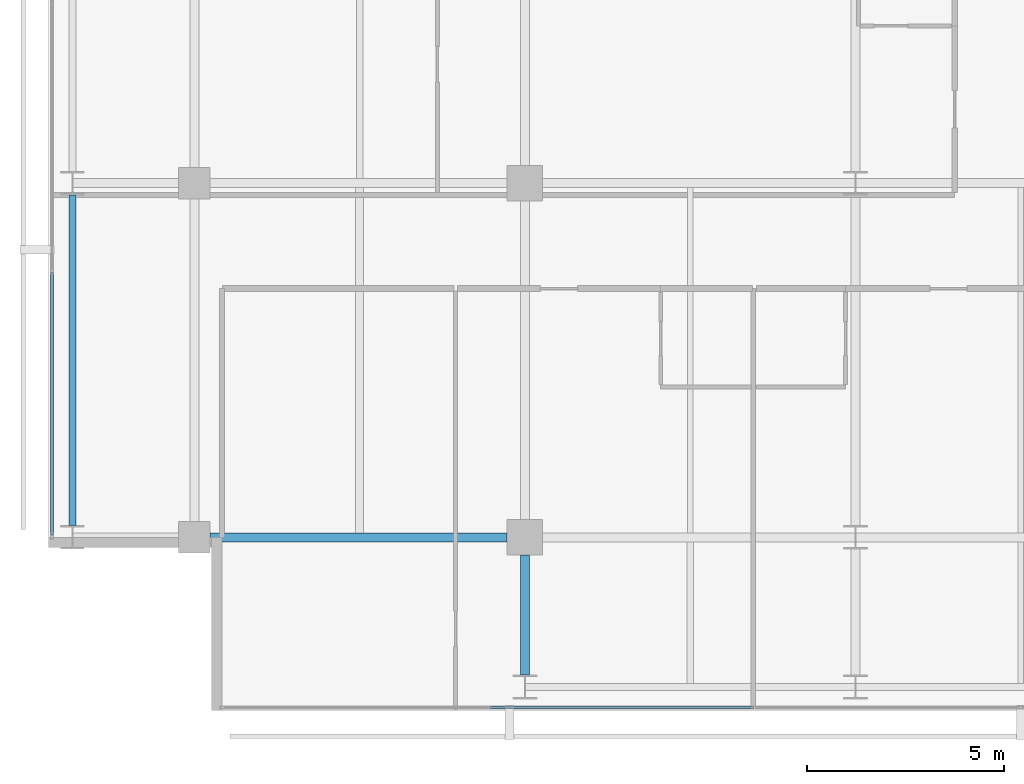
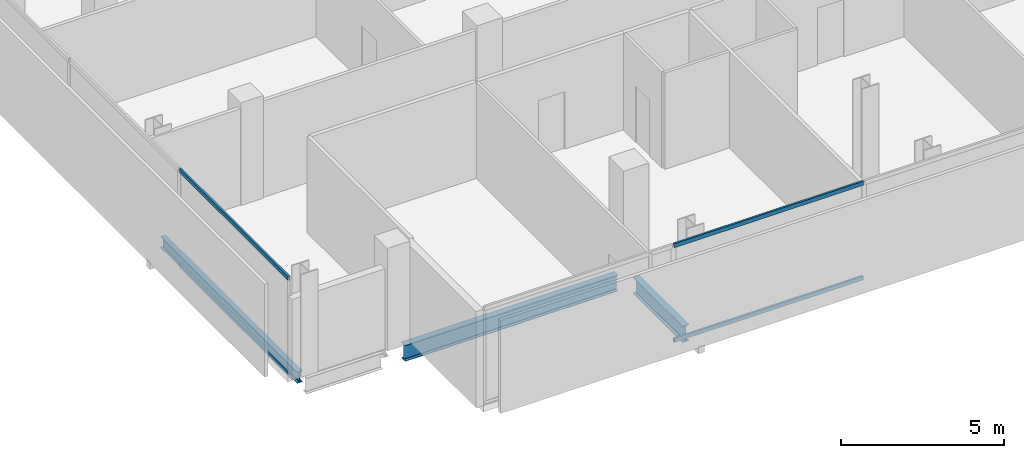
# One storey, part 3 of 32: 4 members, 3 beams, 2 elements without a shape of their own.
"""IFC4 building model written with IfcOpenShell, lengths in metres."""

from ifc_helpers import new_model, si_unit, direction, frame, origin, origin_2d, place, context, subcontext, project, spatial, hollow_rectangle, i_section, extrude, material, layer, layer_set, material_profile, profile_set, type_object, element, aggregate, save


model = new_model("IFC4")

# Units and contexts
model_context = context("Model", 3, precision=1e-05, world=origin(), true_north=direction((0.0, 1.0)))
body_context = subcontext(model_context, "Body", "Model", "MODEL_VIEW")
ifc_project = project(units=[si_unit("LENGTHUNIT", "METRE"), si_unit("AREAUNIT", "SQUARE_METRE"), si_unit("VOLUMEUNIT", "CUBIC_METRE"), si_unit("PLANEANGLEUNIT", "RADIAN"), si_unit("MASSUNIT", "GRAM", prefix="KILO")], contexts=[model_context])

# Site, building, storey
site_placement = place(None, origin())
site = spatial("IfcSite", under=ifc_project, at=site_placement, CompositionType="ELEMENT")
building_placement = place(site_placement, origin())
building = spatial("IfcBuilding", under=site, at=building_placement, Name="Maruvema Waterfront Hotel and Observation Tower", CompositionType="ELEMENT")
storey_placement = place(building_placement, frame((0.0, 0.0, 165.89990234375)))
storey = spatial("IfcBuildingStorey", under=building, at=storey_placement, Name="L40", CompositionType="ELEMENT", Elevation=165.89990234375)

# Curtain wall, members
ifc_material_1 = material(Name="Anodised bronze aluminium and solar-control low-E IGU", Category="aluminium")
ifc_layer = layer(ifc_material_1, 0.159912109375, Name="Zone 2 Amber Inner Thermal Curtain Wall System CW-03")
ifc_layer_set = layer_set([ifc_layer], Name="Anodised bronze aluminium and solar-control low-E IGU")
curtain_wall_type = type_object("IfcCurtainWallType", Name="Zone 2 Amber Inner Thermal Curtain Wall System CW-03", PredefinedType="USERDEFINED", material=ifc_layer_set)
curtain_wall_1_placement = place(storey_placement, origin())
curtain_wall_1 = element("IfcCurtainWall", 1, at=curtain_wall_1_placement, inside=storey, type_object=curtain_wall_type, Name="L40 Curtain Wall CW-L40-S", ObjectType="UNITISED CURTAIN WALL", PredefinedType="USERDEFINED")
ifc_material_2 = material(Name="Anodised architectural bronze aluminium", Category="aluminium")
ifc_material_profile_1 = material_profile(ifc_material_2, hollow_rectangle(XDim=0.070068359375, YDim=0.14990234375, WallThickness=0.00390625, at=origin_2d()), Name="ALU-T70x150")
ifc_profile_set_1 = profile_set([ifc_material_profile_1], Name="Anodised architectural bronze aluminium")
member_type = type_object("IfcMemberType", Name="Curtain Wall Horizontal Transom ALU-T70x150", PredefinedType="USERDEFINED", material=ifc_profile_set_1)
member_1_placement = place(storey_placement, frame((24.296630859375, 4.679931640625, 0.030029296875), z_axis=(1.0, 0.0, 0.0), x_axis=(0.0, 1.0, 0.0)))
member_1 = element("IfcMember", 2, at=member_1_placement, type_object=member_type, Name="CW-03 transom 2.1", ObjectType="TRANSOM", PredefinedType="USERDEFINED", context=body_context, shape_type="SweptSolid", body=[
    extrude(hollow_rectangle(XDim=0.070068359375, YDim=0.14990234375, WallThickness=0.00390625, at=origin_2d()), origin(), (0.0, 0.0, 1.0), 6.706787109375),
])
member_2_placement = place(storey_placement, frame((24.296630859375, 4.679931640625, 3.580078125), z_axis=(1.0, 0.0, 0.0), x_axis=(0.0, 1.0, 0.0)))
member_2 = element("IfcMember", 3, at=member_2_placement, type_object=member_type, Name="CW-03 transom 2.2", ObjectType="TRANSOM", PredefinedType="USERDEFINED", context=body_context, shape_type="SweptSolid", body=[
    extrude(hollow_rectangle(XDim=0.070068359375, YDim=0.14990234375, WallThickness=0.00390625, at=origin_2d()), origin(), (0.0, 0.0, 1.0), 6.706787109375),
])
aggregate(curtain_wall_1, [member_1, member_2])

curtain_wall_2_placement = place(storey_placement, origin())
curtain_wall_2 = element("IfcCurtainWall", 4, at=curtain_wall_2_placement, inside=storey, type_object=curtain_wall_type, Name="L40 Curtain Wall CW-L40-W", ObjectType="UNITISED CURTAIN WALL", PredefinedType="USERDEFINED")
member_3_placement = place(storey_placement, frame((13.179931640625, 15.736572265625, 0.030029296875), z_axis=(0.0, -1.0, 0.0), x_axis=(1.0, 0.0, 0.0)))
member_3 = element("IfcMember", 5, at=member_3_placement, type_object=member_type, Name="CW-03 transom 6.1", ObjectType="TRANSOM", PredefinedType="USERDEFINED", context=body_context, shape_type="SweptSolid", body=[
    extrude(hollow_rectangle(XDim=0.070068359375, YDim=0.14990234375, WallThickness=0.00390625, at=origin_2d()), origin(), (0.0, 0.0, 1.0), 6.676513671875),
])
member_4_placement = place(storey_placement, frame((13.179931640625, 15.736572265625, 3.580078125), z_axis=(0.0, -1.0, 0.0), x_axis=(1.0, 0.0, 0.0)))
member_4 = element("IfcMember", 6, at=member_4_placement, type_object=member_type, Name="CW-03 transom 6.2", ObjectType="TRANSOM", PredefinedType="USERDEFINED", context=body_context, shape_type="SweptSolid", body=[
    extrude(hollow_rectangle(XDim=0.070068359375, YDim=0.14990234375, WallThickness=0.00390625, at=origin_2d()), origin(), (0.0, 0.0, 1.0), 6.676513671875),
])
aggregate(curtain_wall_2, [member_3, member_4])

# Beams
ifc_material_3 = material(Name="Steel ASTM A572 Grade 50", Category="steel")
ifc_material_profile_2 = material_profile(ifc_material_3, i_section(OverallWidth=0.180908203125, OverallDepth=0.4169921875, WebThickness=0.010986328125, FlangeThickness=0.018310546875, FilletRadius=0.014892578125, at=origin_2d()), Name="W410x85.0")
ifc_profile_set_2 = profile_set([ifc_material_profile_2], Name="Steel ASTM A572 Grade 50")
beam_type_1 = type_object("IfcBeamType", Name="Perimeter Spandrel Beam W410x85.0", PredefinedType="SPANDREL", material=ifc_profile_set_2)
beam_1_placement = place(storey_placement, frame((13.699951171875, 9.300048828125, -0.448486328125), z_axis=(0.0, 1.0, 0.0), x_axis=(-1.0, 0.0, 0.0)))
element("IfcBeam", 7, at=beam_1_placement, inside=storey, type_object=beam_type_1, Name="L40 Floor Girder NS-01", PredefinedType="SPANDREL", context=body_context, shape_type="SweptSolid", body=[
    extrude(i_section(OverallWidth=0.180908203125, OverallDepth=0.4169921875, WebThickness=0.010986328125, FlangeThickness=0.018310546875, FilletRadius=0.014892578125, at=origin_2d()), origin(), (0.0, 0.0, 1.0), 8.39990234375),
])
ifc_material_4 = material(Name="Steel ASTM A572 Grade 50", Category="steel")
ifc_material_profile_3 = material_profile(ifc_material_4, i_section(OverallWidth=0.22802734375, OverallDepth=0.60302734375, WebThickness=0.010498046875, FlangeThickness=0.014892578125, FilletRadius=0.01806640625, at=origin_2d()), Name="W610x101.0")
ifc_profile_set_3 = profile_set([ifc_material_profile_3], Name="Steel ASTM A572 Grade 50")
beam_type_2 = type_object("IfcBeamType", Name="Primary Floor Girder W610x101.0", PredefinedType="BEAM", material=ifc_profile_set_3)
beam_2_placement = place(storey_placement, frame((17.199951171875, 9.0, -0.54150390625), z_axis=(1.0, 0.0, 0.0), x_axis=(0.0, 1.0, 0.0)))
element("IfcBeam", 8, at=beam_2_placement, inside=storey, type_object=beam_type_2, Name="L40 Floor Girder EW-05", PredefinedType="BEAM", context=body_context, shape_type="SweptSolid", body=[
    extrude(i_section(OverallWidth=0.22802734375, OverallDepth=0.60302734375, WebThickness=0.010498046875, FlangeThickness=0.014892578125, FilletRadius=0.01806640625, at=origin_2d()), origin(), (0.0, 0.0, 1.0), 7.550048828125),
])
beam_3_placement = place(storey_placement, frame((25.199951171875, 5.5, -0.54150390625), z_axis=(0.0, 1.0, 0.0), x_axis=(-1.0, 0.0, 0.0)))
element("IfcBeam", 9, at=beam_3_placement, inside=storey, type_object=beam_type_2, Name="L40 Floor Girder NS-09", PredefinedType="BEAM", context=body_context, shape_type="SweptSolid", body=[
    extrude(i_section(OverallWidth=0.22802734375, OverallDepth=0.60302734375, WebThickness=0.010498046875, FlangeThickness=0.014892578125, FilletRadius=0.01806640625, at=origin_2d()), origin(), (0.0, 0.0, 1.0), 3.050048828125),
])

save(model, "model.ifc")
